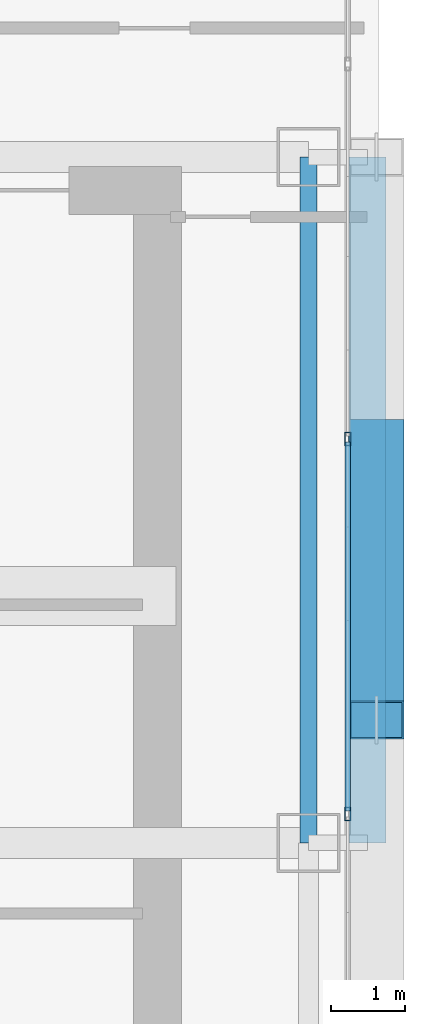
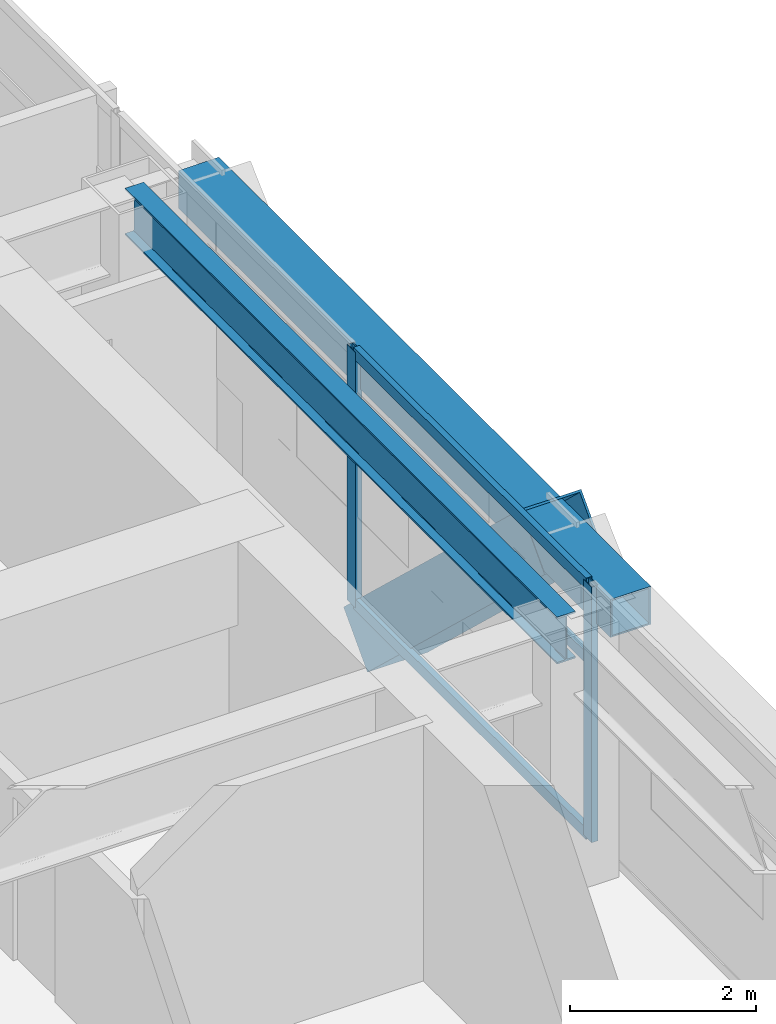
# One storey, part 15 of 35: 6 members, 2 beams, 1 element without a shape of its own.
"""IFC4 building model written with IfcOpenShell, lengths in metres."""

from ifc_helpers import new_model, si_unit, direction, frame, origin, origin_2d, place, context, subcontext, project, spatial, hollow_rectangle, i_section, extrude, source, transform, mapped, material, layer, layer_set, material_profile, profile_set, type_object, element, aggregate, save


model = new_model("IFC4")

# Units and contexts
model_context = context("Model", 3, precision=1e-05, world=origin(), true_north=direction((0.0, 1.0)))
body_context = subcontext(model_context, "Body", "Model", "MODEL_VIEW")
ifc_project = project(units=[si_unit("LENGTHUNIT", "METRE"), si_unit("AREAUNIT", "SQUARE_METRE"), si_unit("VOLUMEUNIT", "CUBIC_METRE"), si_unit("PLANEANGLEUNIT", "RADIAN"), si_unit("MASSUNIT", "GRAM", prefix="KILO")], contexts=[model_context])

# Site, building, storey
site_placement = place(None, origin())
site = spatial("IfcSite", under=ifc_project, at=site_placement, CompositionType="ELEMENT")
building_placement = place(site_placement, origin())
building = spatial("IfcBuilding", under=site, at=building_placement, Name="Ocotamira Hotel", CompositionType="ELEMENT")
storey_placement = place(building_placement, frame((0.0, 0.0, 115.199951171875)))
storey = spatial("IfcBuildingStorey", under=building, at=storey_placement, Name="L28", CompositionType="ELEMENT", Elevation=115.199951171875)

# Beams
ifc_material_1 = material(Name="Steel ASTM A992 Grade 50", Category="steel")
ifc_material_profile_1 = material_profile(ifc_material_1, i_section(OverallWidth=0.22998046875, OverallDepth=0.616943359375, WebThickness=0.01318359375, FlangeThickness=0.022216796875, FilletRadius=0.012939453125, at=origin_2d()), Name="W24X94")
ifc_profile_set_1 = profile_set([ifc_material_profile_1], Name="Steel ASTM A992 Grade 50")
beam_type_1 = type_object("IfcBeamType", Name="BM-PRIM-W24X94", PredefinedType="BEAM", material=ifc_profile_set_1)
shared_shape_1 = source(origin(), body_context, "Body", "SweptSolid", [
    extrude(i_section(OverallWidth=0.22998046875, OverallDepth=0.616943359375, WebThickness=0.01318359375, FlangeThickness=0.022216796875, FilletRadius=0.012939453125, at=origin_2d()), origin(), (0.0, 0.0, 1.0), 9.300048828125),
])
beam_1_placement = place(storey_placement, frame((55.050048828125, 28.14990234375, 3.051513671875), z_axis=(0.0, 1.0, 0.0), x_axis=(-1.0, 0.0, 0.0)))
element("IfcBeam", 1, at=beam_1_placement, inside=storey, type_object=beam_type_1, Name="L28 Beam X55.05 Y28.15-37.45", PredefinedType="BEAM", context=body_context, shape_type="MappedRepresentation", body=[
    mapped(shared_shape_1, transform((0.0, 0.0, 0.0), scale=1.0)),
])
ifc_material_2 = material(Name="Steel ASTM A500 Grade C", Category="steel")
ifc_material_profile_2 = material_profile(ifc_material_2, hollow_rectangle(XDim=0.5, YDim=0.5, WallThickness=0.02001953125, at=origin_2d()), Name="HSS500X500X20")
ifc_profile_set_2 = profile_set([ifc_material_profile_2], Name="Steel ASTM A500 Grade C")
beam_type_2 = type_object("IfcBeamType", Name="BM-SPAN-HSS500", PredefinedType="USERDEFINED", material=ifc_profile_set_2)
shared_shape_2 = source(origin(), body_context, "Body", "SweptSolid", [
    extrude(hollow_rectangle(XDim=0.5, YDim=0.5, WallThickness=0.02001953125, at=origin_2d()), origin(), (0.0, 0.0, 1.0), 9.300048828125),
])
beam_2_placement = place(storey_placement, frame((55.85009765625, 28.14990234375, 3.110107421875), z_axis=(0.0, 1.0, 0.0), x_axis=(-1.0, 0.0, 0.0)))
element("IfcBeam", 2, at=beam_2_placement, inside=storey, type_object=beam_type_2, Name="L28 Edge Spandrel E Y28.15-37.45", ObjectType="SPANDREL", PredefinedType="USERDEFINED", context=body_context, shape_type="MappedRepresentation", body=[
    mapped(shared_shape_2, transform((0.0, 0.0, 0.0), scale=1.0)),
])

# Member
ifc_material_3 = material(Name="Pale-metal coated steel ASTM A913 Grade 65", Category="steel")
ifc_material_profile_3 = material_profile(ifc_material_3, hollow_rectangle(XDim=0.75, YDim=0.75, WallThickness=0.028076171875, at=origin_2d()), Name="BOX750X750X28")
ifc_profile_set_3 = profile_set([ifc_material_profile_3], Name="Pale-metal coated steel ASTM A913 Grade 65")
member_type_1 = type_object("IfcMemberType", Name="MEM-EXO-BOX750", PredefinedType="BRACE", material=ifc_profile_set_3)
shared_shape_3 = source(origin(), body_context, "Body", "SweptSolid", [
    extrude(hollow_rectangle(XDim=0.75, YDim=0.75, WallThickness=0.028076171875, at=origin_2d()), origin(), (0.0, 0.0, 1.0), 5.24658203125),
])
member_1_placement = place(storey_placement, frame((55.969970703125, 33.63330078125, -0.489990234375), z_axis=(0.0, -0.727442733726, 0.686168397078), x_axis=(1.0, 0.0, 0.0)))
element("IfcMember", 3, at=member_1_placement, inside=storey, type_object=member_type_1, Name="L28 Exoskeleton Diagrid E2.1", PredefinedType="BRACE", context=body_context, shape_type="MappedRepresentation", body=[
    mapped(shared_shape_3, transform((0.0, 0.0, 0.0), scale=1.0)),
])

# Curtain wall, members
ifc_material_4 = material(Name="Anodised pale-metal aluminium and solar glass", Category="aluminium")
ifc_layer = layer(ifc_material_4, 0.179931640625)
ifc_layer_set = layer_set([ifc_layer], Name="Anodised pale-metal aluminium and solar glass")
curtain_wall_type = type_object("IfcCurtainWallType", Name="CW-SYS3-Z2", PredefinedType="NOTDEFINED", material=ifc_layer_set)
curtain_wall_placement = place(storey_placement, origin())
curtain_wall = element("IfcCurtainWall", 4, at=curtain_wall_placement, inside=storey, type_object=curtain_wall_type, Name="L28 Curtain Wall CW-3 CW-L28-E", PredefinedType="NOTDEFINED")
ifc_material_5 = material(Name="Anodised pale-metal aluminium 6063-T6", Category="aluminium")
ifc_material_profile_4 = material_profile(ifc_material_5, hollow_rectangle(XDim=0.074951171875, YDim=0.14990234375, WallThickness=0.006103515625, at=origin_2d()), Name="HSS150X75X6")
ifc_profile_set_4 = profile_set([ifc_material_profile_4], Name="Anodised pale-metal aluminium 6063-T6")
member_type_2 = type_object("IfcMemberType", Name="CWT-150X75", PredefinedType="USERDEFINED", material=ifc_profile_set_4)
shared_shape_4 = source(origin(), body_context, "Body", "SweptSolid", [
    extrude(hollow_rectangle(XDim=0.074951171875, YDim=0.14990234375, WallThickness=0.006103515625, at=origin_2d()), origin(), (0.0, 0.0, 1.0), 5.005859375),
])
member_2_placement = place(storey_placement, frame((55.580078125, 28.582763671875, 0.03759765625), z_axis=(0.0, 1.0, 0.0), x_axis=(-1.0, 0.0, 0.0)))
member_2 = element("IfcMember", 5, at=member_2_placement, type_object=member_type_2, Name="CW-3 transom 5.1", ObjectType="TRANSOM", PredefinedType="USERDEFINED", context=body_context, shape_type="MappedRepresentation", body=[
    mapped(shared_shape_4, transform((0.0, 0.0, 0.0), scale=1.0)),
])
member_3_placement = place(storey_placement, frame((55.580078125, 28.582763671875, 2.35009765625), z_axis=(0.0, 1.0, 0.0), x_axis=(-1.0, 0.0, 0.0)))
member_3 = element("IfcMember", 6, at=member_3_placement, type_object=member_type_2, Name="CW-3 transom 5.2", ObjectType="TRANSOM", PredefinedType="USERDEFINED", context=body_context, shape_type="MappedRepresentation", body=[
    mapped(shared_shape_4, transform((0.0, 0.0, 0.0), scale=1.0)),
])
member_4_placement = place(storey_placement, frame((55.580078125, 28.582763671875, 3.322509765625), z_axis=(0.0, 1.0, 0.0), x_axis=(-1.0, 0.0, 0.0)))
member_4 = element("IfcMember", 7, at=member_4_placement, type_object=member_type_2, Name="CW-3 transom 5.3", ObjectType="TRANSOM", PredefinedType="USERDEFINED", context=body_context, shape_type="MappedRepresentation", body=[
    mapped(shared_shape_4, transform((0.0, 0.0, 0.0), scale=1.0)),
])
ifc_material_profile_5 = material_profile(ifc_material_5, hollow_rectangle(XDim=0.080078125, YDim=0.179931640625, WallThickness=0.006103515625, at=origin_2d()), Name="HSS180X80X6")
ifc_profile_set_5 = profile_set([ifc_material_profile_5], Name="Anodised pale-metal aluminium 6063-T6")
member_type_3 = type_object("IfcMemberType", Name="CWM-180X75", PredefinedType="MULLION", material=ifc_profile_set_5)
shared_shape_5 = source(origin(), body_context, "Body", "SweptSolid", [
    extrude(hollow_rectangle(XDim=0.080078125, YDim=0.179931640625, WallThickness=0.006103515625, at=origin_2d()), origin(), (0.0, 0.0, 1.0), 3.360107421875),
])
member_5_placement = place(storey_placement, frame((55.580078125, 28.54296875, 0.0), z_axis=(0.0, 0.0, 1.0), x_axis=(-1.0, 0.0, 0.0)))
member_5 = element("IfcMember", 8, at=member_5_placement, type_object=member_type_3, Name="CW-3 mullion 5", PredefinedType="MULLION", context=body_context, shape_type="MappedRepresentation", body=[
    mapped(shared_shape_5, transform((0.0, 0.0, 0.0), scale=1.0)),
])
member_6_placement = place(storey_placement, frame((55.580078125, 33.628662109375, 0.0), z_axis=(0.0, 0.0, 1.0), x_axis=(-1.0, 0.0, 0.0)))
member_6 = element("IfcMember", 9, at=member_6_placement, type_object=member_type_3, Name="CW-3 mullion 6", PredefinedType="MULLION", context=body_context, shape_type="MappedRepresentation", body=[
    mapped(shared_shape_5, transform((0.0, 0.0, 0.0), scale=1.0)),
])
aggregate(curtain_wall, [member_5, member_6, member_2, member_3, member_4])

save(model, "model.ifc")
